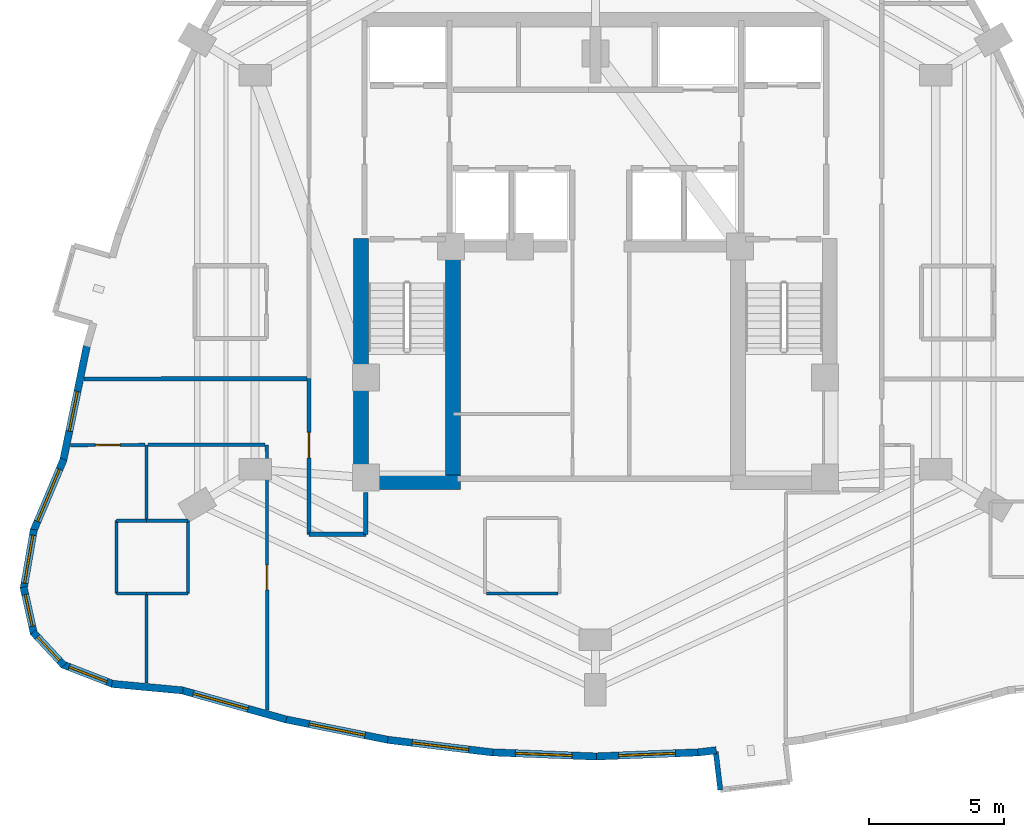
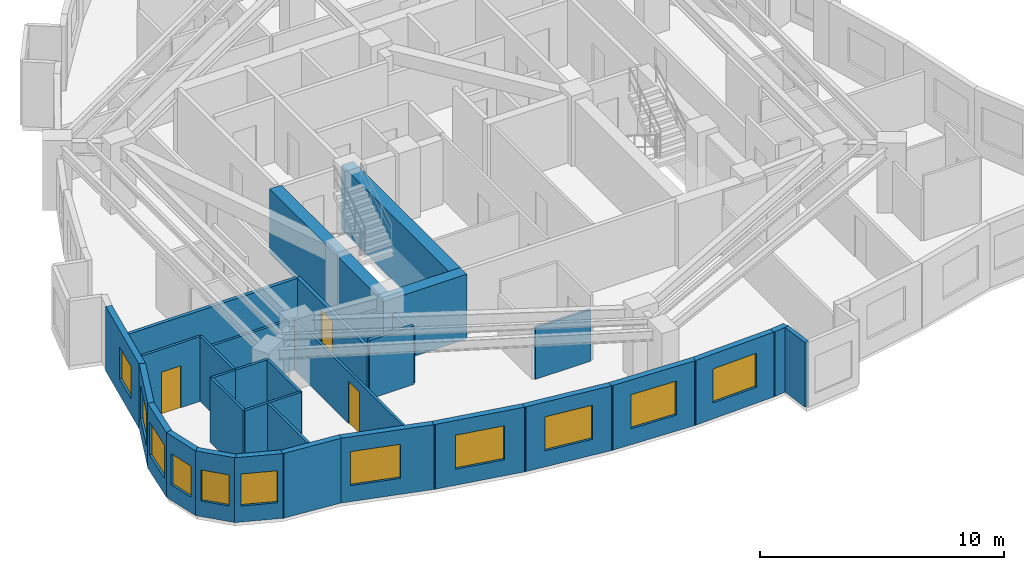
# One storey, part 3 of 9: 33 walls, 11 windows, 3 doors, 14 openings.
"""IFC4 building model written with IfcOpenShell, lengths in metres."""

from ifc_helpers import new_model, si_unit, direction, frame, frame_2d, origin, place, context, subcontext, project, spatial, rectangle, extrude, material, layer, layer_set, type_object, element, fill, save


model = new_model("IFC4")

# Units and contexts
model_context = context("Model", 3, precision=1e-05, world=origin(), true_north=direction((0.0, 1.0)))
body_context = subcontext(model_context, "Body", "Model", "MODEL_VIEW")
ifc_project = project(units=[si_unit("LENGTHUNIT", "METRE"), si_unit("AREAUNIT", "SQUARE_METRE"), si_unit("VOLUMEUNIT", "CUBIC_METRE"), si_unit("PLANEANGLEUNIT", "RADIAN"), si_unit("MASSUNIT", "GRAM", prefix="KILO")], contexts=[model_context])

# Site, building, storey
site_placement = place(None, origin())
site = spatial("IfcSite", under=ifc_project, at=site_placement, CompositionType="ELEMENT")
building_placement = place(site_placement, origin())
building = spatial("IfcBuilding", under=site, at=building_placement, Name="Miruveldt Soraemaru", CompositionType="ELEMENT")
storey_placement = place(building_placement, frame((0.0, 0.0, 170.39990234375)))
storey = spatial("IfcBuildingStorey", under=building, at=storey_placement, Name="L47", CompositionType="ELEMENT", Elevation=170.39990234375)

# Walls
ifc_material_1 = material(Name="White powder-coated aluminium EN AW-6060 T6", Category="aluminium")
ifc_layer_1 = layer(ifc_material_1, 0.18994140625, Name="White powder-coated aluminium EN AW-6060 T6", Category="aluminium")
ifc_layer_set_1 = layer_set([ifc_layer_1], Name="White powder-coated aluminium EN AW-6060 T6")
wall_type_1 = type_object("IfcWallType", Name="WALL-BAY-ALU190", PredefinedType="SOLIDWALL", material=ifc_layer_set_1)
wall_1_placement = place(storey_placement, frame((48.45458984375, 25.345703125, 0.0), z_axis=(0.0, 0.0, 1.0), x_axis=(0.119246559468, -0.992864672579, 0.0)))
element("IfcWall", 1, at=wall_1_placement, inside=storey, type_object=wall_type_1, Name="L47 Bay Window Side Cheek 3L", PredefinedType="SOLIDWALL", context=body_context, shape_type="SweptSolid", body=[
    extrude(rectangle(XDim=1.425048828125, YDim=0.18994140625, at=frame_2d((0.71240234375, 0.0))), origin(), (0.0, 0.0, 1.0), 3.235107421875),
])
ifc_material_2 = material(Name="Concrete C70/85 (70 MPa)", Category="concrete")
ifc_layer_2 = layer(ifc_material_2, 0.550048828125, Name="Concrete C70/85 (70 MPa)", Category="concrete")
ifc_layer_set_2 = layer_set([ifc_layer_2], Name="Concrete C70/85 (70 MPa)")
wall_type_2 = type_object("IfcWallType", Name="WALL-CW-550", PredefinedType="SHEAR", material=ifc_layer_set_2)
wall_2_placement = place(storey_placement, frame((35.050048828125, 35.324951171875, 0.0), z_axis=(0.0, 0.0, 1.0), x_axis=(1.0, 0.0, 0.0)))
element("IfcWall", 2, at=wall_2_placement, inside=storey, type_object=wall_type_2, Name="L47 Central Core Shear Wall S1", PredefinedType="SHEAR", context=body_context, shape_type="SweptSolid", body=[
    extrude(rectangle(XDim=3.949951171875, YDim=0.550048828125, at=frame_2d((1.97509765625, 0.0))), origin(), (0.0, 0.0, 1.0), 3.235107421875),
])
wall_3_placement = place(storey_placement, frame((35.324951171875, 35.050048828125, 0.0), z_axis=(0.0, 0.0, 1.0), x_axis=(0.0, 1.0, 0.0)))
element("IfcWall", 3, at=wall_3_placement, inside=storey, type_object=wall_type_2, Name="L47 Central Core Shear Wall W1", PredefinedType="SHEAR", context=body_context, shape_type="SweptSolid", body=[
    extrude(rectangle(XDim=9.300048828125, YDim=0.550048828125, at=frame_2d((4.64990234375, 0.0))), origin(), (0.0, 0.0, 1.0), 3.235107421875),
])
wall_4_placement = place(storey_placement, frame((38.72509765625, 35.39990234375, 0.0), z_axis=(0.0, 0.0, 1.0), x_axis=(0.0, 1.0, 0.0)))
element("IfcWall", 4, at=wall_4_placement, inside=storey, type_object=wall_type_2, Name="L47 Central Core Shear Wall SW-INT", PredefinedType="SHEAR", context=body_context, shape_type="SweptSolid", body=[
    extrude(rectangle(XDim=8.9501953125, YDim=0.550048828125, at=frame_2d((4.47509765625, 0.0))), origin(), (0.0, 0.0, 1.0), 3.235107421875),
])

# Wall, opening, window
ifc_material_3 = material(Name="Precast concrete C45/55 (45 MPa)", Category="concrete")
ifc_layer_3 = layer(ifc_material_3, 0.27001953125, Name="Precast concrete C45/55 (45 MPa)", Category="concrete")
ifc_layer_set_3 = layer_set([ifc_layer_3], Name="Precast concrete C45/55 (45 MPa)")
wall_type_3 = type_object("IfcWallType", Name="WALL-EXT-PC270", PredefinedType="SOLIDWALL", material=ifc_layer_set_3)
wall_5_placement = place(storey_placement, frame((25.18310546875, 40.4267578125, 0.0), z_axis=(0.0, 0.0, 1.0), x_axis=(-0.20160132196, -0.979467665104, 0.0)))
wall_5 = element("IfcWall", 5, at=wall_5_placement, inside=storey, type_object=wall_type_3, Name="L47 Precast Concrete Facade Wall 14", PredefinedType="SOLIDWALL", context=body_context, shape_type="SweptSolid", body=[
    extrude(rectangle(XDim=4.40576171875, YDim=0.27001953125, at=frame_2d((2.202880859375, 0.0))), origin(), (0.0, 0.0, 1.0), 3.235107421875),
])
opening_1_placement = place(wall_5_placement, frame((1.77587890625, 0.0, 0.800048828125)))
opening_1 = element("IfcOpeningElement", 6, at=opening_1_placement, cuts=wall_5, Name="Opening WN-3", PredefinedType="OPENING", context=body_context, shape_type="SweptSolid", body=[
    extrude(rectangle(XDim=1.5, YDim=1.60009765625, at=frame_2d((0.75, 0.800048828125))), frame((0.0, 0.14501953125, 0.0), z_axis=(0.0, -1.0, 0.0), x_axis=(1.0, 0.0, 0.0)), (0.0, 0.0, 1.0), 0.2900390625),
])
ifc_material_4 = material(Name="Triple low-e insulated glazing", Category="glass")
window_type_1 = type_object("IfcWindowType", Name="WIN-PUNCH-1500x1600", PartitioningType="SINGLE_PANEL", PredefinedType="WINDOW", material=ifc_material_4)
window_1_placement = place(opening_1_placement, origin())
window_1 = element("IfcWindow", 7, at=window_1_placement, inside=storey, type_object=window_type_1, Name="L47 Punched Triple-Glazed Window 14.1", OverallHeight=1.60009765625, OverallWidth=1.5, PartitioningType="SINGLE_PANEL", PredefinedType="WINDOW", context=body_context, shape_type="SweptSolid", body=[
    extrude(rectangle(XDim=1.5, YDim=1.60009765625, at=frame_2d((0.75, 0.800048828125))), frame((0.0, 0.030029296875, 0.0), z_axis=(0.0, -1.0, 0.0), x_axis=(1.0, 0.0, 0.0)), (0.0, 0.0, 1.0), 0.06005859375),
])
fill(opening_1, window_1)

wall_6_placement = place(storey_placement, frame((24.315673828125, 36.177978515625, 0.0), z_axis=(0.0, 0.0, 1.0), x_axis=(-0.388603247953, -0.921405185399, 0.0)))
wall_6 = element("IfcWall", 8, at=wall_6_placement, inside=storey, type_object=wall_type_3, Name="L47 Precast Concrete Facade Wall 15", PredefinedType="SOLIDWALL", context=body_context, shape_type="SweptSolid", body=[
    extrude(rectangle(XDim=2.89697265625, YDim=0.27001953125, at=frame_2d((1.448486328125, 0.0))), origin(), (0.0, 0.0, 1.0), 3.235107421875),
])
opening_2_placement = place(wall_6_placement, frame((0.39892578125, 0.0, 0.800048828125)))
opening_2 = element("IfcOpeningElement", 9, at=opening_2_placement, cuts=wall_6, Name="Opening WN-1", PredefinedType="OPENING", context=body_context, shape_type="SweptSolid", body=[
    extrude(rectangle(XDim=2.10009765625, YDim=1.699951171875, at=frame_2d((1.050048828125, 0.85009765625))), frame((0.0, 0.14501953125, 0.0), z_axis=(0.0, -1.0, 0.0), x_axis=(1.0, 0.0, 0.0)), (0.0, 0.0, 1.0), 0.2900390625),
])
window_type_2 = type_object("IfcWindowType", Name="WIN-PUNCH-2100x1700", PartitioningType="SINGLE_PANEL", PredefinedType="WINDOW", material=ifc_material_4)
window_2_placement = place(opening_2_placement, origin())
window_2 = element("IfcWindow", 10, at=window_2_placement, inside=storey, type_object=window_type_2, Name="L47 Punched Triple-Glazed Window 15.1", OverallHeight=1.699951171875, OverallWidth=2.10009765625, PartitioningType="SINGLE_PANEL", PredefinedType="WINDOW", context=body_context, shape_type="SweptSolid", body=[
    extrude(rectangle(XDim=2.10009765625, YDim=1.699951171875, at=frame_2d((1.050048828125, 0.85009765625))), frame((0.0, 0.030029296875, 0.0), z_axis=(0.0, -1.0, 0.0), x_axis=(1.0, 0.0, 0.0)), (0.0, 0.0, 1.0), 0.06005859375),
])
fill(opening_2, window_2)

wall_7_placement = place(storey_placement, frame((23.20947265625, 33.57568359375, 0.0), z_axis=(0.0, 0.0, 1.0), x_axis=(-0.169397854445, -0.985547749685, 0.0)))
wall_7 = element("IfcWall", 11, at=wall_7_placement, inside=storey, type_object=wall_type_3, Name="L47 Precast Concrete Facade Wall 16", PredefinedType="SOLIDWALL", context=body_context, shape_type="SweptSolid", body=[
    extrude(rectangle(XDim=2.232421875, YDim=0.27001953125, at=frame_2d((1.1162109375, 0.0))), origin(), (0.0, 0.0, 1.0), 3.235107421875),
])
opening_3_placement = place(wall_7_placement, frame((0.216064453125, 0.0, 0.800048828125)))
opening_3 = element("IfcOpeningElement", 12, at=opening_3_placement, cuts=wall_7, Name="Opening WN-2", PredefinedType="OPENING", context=body_context, shape_type="SweptSolid", body=[
    extrude(rectangle(XDim=1.800048828125, YDim=1.64990234375, at=frame_2d((0.89990234375, 0.824951171875))), frame((0.0, 0.14501953125, 0.0), z_axis=(0.0, -1.0, 0.0), x_axis=(1.0, 0.0, 0.0)), (0.0, 0.0, 1.0), 0.2900390625),
])
window_type_3 = type_object("IfcWindowType", Name="WIN-PUNCH-1800x1650", PartitioningType="SINGLE_PANEL", PredefinedType="WINDOW", material=ifc_material_4)
window_3_placement = place(opening_3_placement, origin())
window_3 = element("IfcWindow", 13, at=window_3_placement, inside=storey, type_object=window_type_3, Name="L47 Punched Triple-Glazed Window 16.1", OverallHeight=1.64990234375, OverallWidth=1.800048828125, PartitioningType="SINGLE_PANEL", PredefinedType="WINDOW", context=body_context, shape_type="SweptSolid", body=[
    extrude(rectangle(XDim=1.800048828125, YDim=1.64990234375, at=frame_2d((0.89990234375, 0.824951171875))), frame((0.0, 0.030029296875, 0.0), z_axis=(0.0, -1.0, 0.0), x_axis=(1.0, 0.0, 0.0)), (0.0, 0.0, 1.0), 0.06005859375),
])
fill(opening_3, window_3)

wall_8_placement = place(storey_placement, frame((22.82958984375, 31.444091796875, 0.0), z_axis=(0.0, 0.0, 1.0), x_axis=(0.215862834364, -0.976423697347, 0.0)))
wall_8 = element("IfcWall", 14, at=wall_8_placement, inside=storey, type_object=wall_type_3, Name="L47 Precast Concrete Facade Wall 17", PredefinedType="SOLIDWALL", context=body_context, shape_type="SweptSolid", body=[
    extrude(rectangle(XDim=1.767822265625, YDim=0.27001953125, at=frame_2d((0.8837890625, 0.0))), origin(), (0.0, 0.0, 1.0), 3.235107421875),
])
opening_4_placement = place(wall_8_placement, frame((0.283935546875, 0.0, 0.780029296875)))
opening_4 = element("IfcOpeningElement", 15, at=opening_4_placement, cuts=wall_8, Name="Opening WN-4", PredefinedType="OPENING", context=body_context, shape_type="SweptSolid", body=[
    extrude(rectangle(XDim=1.199951171875, YDim=1.550048828125, at=frame_2d((0.60009765625, 0.77490234375))), frame((0.0, 0.14501953125, 0.0), z_axis=(0.0, -1.0, 0.0), x_axis=(1.0, 0.0, 0.0)), (0.0, 0.0, 1.0), 0.2900390625),
])
window_type_4 = type_object("IfcWindowType", Name="WIN-PUNCH-1200x1550", PartitioningType="SINGLE_PANEL", PredefinedType="WINDOW", material=ifc_material_4)
window_4_placement = place(opening_4_placement, origin())
window_4 = element("IfcWindow", 16, at=window_4_placement, inside=storey, type_object=window_type_4, Name="L47 Punched Triple-Glazed Window 17.1", OverallHeight=1.550048828125, OverallWidth=1.199951171875, PartitioningType="SINGLE_PANEL", PredefinedType="WINDOW", context=body_context, shape_type="SweptSolid", body=[
    extrude(rectangle(XDim=1.199951171875, YDim=1.550048828125, at=frame_2d((0.60009765625, 0.77490234375))), frame((0.0, 0.030029296875, 0.0), z_axis=(0.0, -1.0, 0.0), x_axis=(1.0, 0.0, 0.0)), (0.0, 0.0, 1.0), 0.06005859375),
])
fill(opening_4, window_4)

wall_9_placement = place(storey_placement, frame((23.1796875, 29.778076171875, 0.0), z_axis=(0.0, 0.0, 1.0), x_axis=(0.68010098508, -0.733118442064, 0.0)))
wall_9 = element("IfcWall", 17, at=wall_9_placement, inside=storey, type_object=wall_type_3, Name="L47 Precast Concrete Facade Wall 18", PredefinedType="SOLIDWALL", context=body_context, shape_type="SweptSolid", body=[
    extrude(rectangle(XDim=1.685302734375, YDim=0.27001953125, at=frame_2d((0.8427734375, 0.0))), origin(), (0.0, 0.0, 1.0), 3.235107421875),
])
opening_5_placement = place(wall_9_placement, frame((0.241943359375, 0.0, 0.780029296875)))
opening_5 = element("IfcOpeningElement", 18, at=opening_5_placement, cuts=wall_9, Name="Opening WN-4", PredefinedType="OPENING", context=body_context, shape_type="SweptSolid", body=[
    extrude(rectangle(XDim=1.199951171875, YDim=1.550048828125, at=frame_2d((0.60009765625, 0.77490234375))), frame((0.0, 0.14501953125, 0.0), z_axis=(0.0, -1.0, 0.0), x_axis=(1.0, 0.0, 0.0)), (0.0, 0.0, 1.0), 0.2900390625),
])
window_5_placement = place(opening_5_placement, origin())
window_5 = element("IfcWindow", 19, at=window_5_placement, inside=storey, type_object=window_type_4, Name="L47 Punched Triple-Glazed Window 18.1", OverallHeight=1.550048828125, OverallWidth=1.199951171875, PartitioningType="SINGLE_PANEL", PredefinedType="WINDOW", context=body_context, shape_type="SweptSolid", body=[
    extrude(rectangle(XDim=1.199951171875, YDim=1.550048828125, at=frame_2d((0.60009765625, 0.77490234375))), frame((0.0, 0.030029296875, 0.0), z_axis=(0.0, -1.0, 0.0), x_axis=(1.0, 0.0, 0.0)), (0.0, 0.0, 1.0), 0.06005859375),
])
fill(opening_5, window_5)

wall_10_placement = place(storey_placement, frame((24.26953125, 28.5810546875, 0.0), z_axis=(0.0, 0.0, 1.0), x_axis=(0.932267974852, -0.361768466101, 0.0)))
wall_10 = element("IfcWall", 20, at=wall_10_placement, inside=storey, type_object=wall_type_3, Name="L47 Precast Concrete Facade Wall 19", PredefinedType="SOLIDWALL", context=body_context, shape_type="SweptSolid", body=[
    extrude(rectangle(XDim=2.033935546875, YDim=0.27001953125, at=frame_2d((1.01708984375, 0.0))), origin(), (0.0, 0.0, 1.0), 3.235107421875),
])
opening_6_placement = place(wall_10_placement, frame((0.26708984375, 0.0, 0.800048828125)))
opening_6 = element("IfcOpeningElement", 21, at=opening_6_placement, cuts=wall_10, Name="Opening WN-3", PredefinedType="OPENING", context=body_context, shape_type="SweptSolid", body=[
    extrude(rectangle(XDim=1.5, YDim=1.60009765625, at=frame_2d((0.75, 0.800048828125))), frame((0.0, 0.14501953125, 0.0), z_axis=(0.0, -1.0, 0.0), x_axis=(1.0, 0.0, 0.0)), (0.0, 0.0, 1.0), 0.2900390625),
])
window_6_placement = place(opening_6_placement, origin())
window_6 = element("IfcWindow", 22, at=window_6_placement, inside=storey, type_object=window_type_1, Name="L47 Punched Triple-Glazed Window 19.1", OverallHeight=1.60009765625, OverallWidth=1.5, PartitioningType="SINGLE_PANEL", PredefinedType="WINDOW", context=body_context, shape_type="SweptSolid", body=[
    extrude(rectangle(XDim=1.5, YDim=1.60009765625, at=frame_2d((0.75, 0.800048828125))), frame((0.0, 0.030029296875, 0.0), z_axis=(0.0, -1.0, 0.0), x_axis=(1.0, 0.0, 0.0)), (0.0, 0.0, 1.0), 0.06005859375),
])
fill(opening_6, window_6)

# Wall
wall_11_placement = place(storey_placement, frame((26.09814453125, 27.861083984375, 0.0), z_axis=(0.0, 0.0, 1.0), x_axis=(0.995763558501, -0.091950723555, 0.0)))
element("IfcWall", 23, at=wall_11_placement, inside=storey, type_object=wall_type_3, Name="L47 Precast Concrete Facade Wall 20", PredefinedType="SOLIDWALL", context=body_context, shape_type="SweptSolid", body=[
    extrude(rectangle(XDim=2.64453125, YDim=0.27001953125, at=frame_2d((1.322265625, 0.0))), origin(), (0.0, 0.0, 1.0), 3.235107421875),
])

# Wall, opening, window
wall_12_placement = place(storey_placement, frame((28.662841796875, 27.630615234375, 0.0), z_axis=(0.0, 0.0, 1.0), x_axis=(0.962966528266, -0.269620966245, 0.0)))
wall_12 = element("IfcWall", 24, at=wall_12_placement, inside=storey, type_object=wall_type_3, Name="L47 Precast Concrete Facade Wall 21", PredefinedType="SOLIDWALL", context=body_context, shape_type="SweptSolid", body=[
    extrude(rectangle(XDim=4.04296875, YDim=0.27001953125, at=frame_2d((2.021484375, 0.0))), origin(), (0.0, 0.0, 1.0), 3.235107421875),
])
opening_7_placement = place(wall_12_placement, frame((0.467041015625, 0.0, 0.800048828125)))
opening_7 = element("IfcOpeningElement", 25, at=opening_7_placement, cuts=wall_12, Name="Opening WN-1", PredefinedType="OPENING", context=body_context, shape_type="SweptSolid", body=[
    extrude(rectangle(XDim=2.10009765625, YDim=1.699951171875, at=frame_2d((1.050048828125, 0.85009765625))), frame((0.0, 0.14501953125, 0.0), z_axis=(0.0, -1.0, 0.0), x_axis=(1.0, 0.0, 0.0)), (0.0, 0.0, 1.0), 0.2900390625),
])
window_7_placement = place(opening_7_placement, origin())
window_7 = element("IfcWindow", 26, at=window_7_placement, inside=storey, type_object=window_type_2, Name="L47 Punched Triple-Glazed Window 21.1", OverallHeight=1.699951171875, OverallWidth=2.10009765625, PartitioningType="SINGLE_PANEL", PredefinedType="WINDOW", context=body_context, shape_type="SweptSolid", body=[
    extrude(rectangle(XDim=2.10009765625, YDim=1.699951171875, at=frame_2d((1.050048828125, 0.85009765625))), frame((0.0, 0.030029296875, 0.0), z_axis=(0.0, -1.0, 0.0), x_axis=(1.0, 0.0, 0.0)), (0.0, 0.0, 1.0), 0.06005859375),
])
fill(opening_7, window_7)

wall_13_placement = place(storey_placement, frame((32.488037109375, 26.556884765625, 0.0), z_axis=(0.0, 0.0, 1.0), x_axis=(0.980573582327, -0.196151598621, 0.0)))
wall_13 = element("IfcWall", 27, at=wall_13_placement, inside=storey, type_object=wall_type_3, Name="L47 Precast Concrete Facade Wall 22", PredefinedType="SOLIDWALL", context=body_context, shape_type="SweptSolid", body=[
    extrude(rectangle(XDim=3.9716796875, YDim=0.27001953125, at=frame_2d((1.98583984375, 0.0))), origin(), (0.0, 0.0, 1.0), 3.235107421875),
])
opening_8_placement = place(wall_13_placement, frame((0.93603515625, 0.0, 0.800048828125)))
opening_8 = element("IfcOpeningElement", 28, at=opening_8_placement, cuts=wall_13, Name="Opening WN-1", PredefinedType="OPENING", context=body_context, shape_type="SweptSolid", body=[
    extrude(rectangle(XDim=2.10009765625, YDim=1.699951171875, at=frame_2d((1.050048828125, 0.85009765625))), frame((0.0, 0.14501953125, 0.0), z_axis=(0.0, -1.0, 0.0), x_axis=(1.0, 0.0, 0.0)), (0.0, 0.0, 1.0), 0.2900390625),
])
window_8_placement = place(opening_8_placement, origin())
window_8 = element("IfcWindow", 29, at=window_8_placement, inside=storey, type_object=window_type_2, Name="L47 Punched Triple-Glazed Window 22.1", OverallHeight=1.699951171875, OverallWidth=2.10009765625, PartitioningType="SINGLE_PANEL", PredefinedType="WINDOW", context=body_context, shape_type="SweptSolid", body=[
    extrude(rectangle(XDim=2.10009765625, YDim=1.699951171875, at=frame_2d((1.050048828125, 0.85009765625))), frame((0.0, 0.030029296875, 0.0), z_axis=(0.0, -1.0, 0.0), x_axis=(1.0, 0.0, 0.0)), (0.0, 0.0, 1.0), 0.06005859375),
])
fill(opening_8, window_8)

wall_14_placement = place(storey_placement, frame((36.3134765625, 25.788818359375, 0.0), z_axis=(0.0, 0.0, 1.0), x_axis=(0.992874777232, -0.11916239649, 0.0)))
wall_14 = element("IfcWall", 30, at=wall_14_placement, inside=storey, type_object=wall_type_3, Name="L47 Precast Concrete Facade Wall 23", PredefinedType="SOLIDWALL", context=body_context, shape_type="SweptSolid", body=[
    extrude(rectangle(XDim=3.923583984375, YDim=0.27001953125, at=frame_2d((1.9619140625, 0.0))), origin(), (0.0, 0.0, 1.0), 3.235107421875),
])
opening_9_placement = place(wall_14_placement, frame((0.910888671875, 0.0, 0.800048828125)))
opening_9 = element("IfcOpeningElement", 31, at=opening_9_placement, cuts=wall_14, Name="Opening WN-1", PredefinedType="OPENING", context=body_context, shape_type="SweptSolid", body=[
    extrude(rectangle(XDim=2.10009765625, YDim=1.699951171875, at=frame_2d((1.050048828125, 0.85009765625))), frame((0.0, 0.14501953125, 0.0), z_axis=(0.0, -1.0, 0.0), x_axis=(1.0, 0.0, 0.0)), (0.0, 0.0, 1.0), 0.2900390625),
])
window_9_placement = place(opening_9_placement, origin())
window_9 = element("IfcWindow", 32, at=window_9_placement, inside=storey, type_object=window_type_2, Name="L47 Punched Triple-Glazed Window 23.1", OverallHeight=1.699951171875, OverallWidth=2.10009765625, PartitioningType="SINGLE_PANEL", PredefinedType="WINDOW", context=body_context, shape_type="SweptSolid", body=[
    extrude(rectangle(XDim=2.10009765625, YDim=1.699951171875, at=frame_2d((1.050048828125, 0.85009765625))), frame((0.0, 0.030029296875, 0.0), z_axis=(0.0, -1.0, 0.0), x_axis=(1.0, 0.0, 0.0)), (0.0, 0.0, 1.0), 0.06005859375),
])
fill(opening_9, window_9)

wall_15_placement = place(storey_placement, frame((40.13916015625, 25.326904296875, 0.0), z_axis=(0.0, 0.0, 1.0), x_axis=(0.999201658774, -0.039950533202, 0.0)))
wall_15 = element("IfcWall", 33, at=wall_15_placement, inside=storey, type_object=wall_type_3, Name="L47 Precast Concrete Facade Wall 24", PredefinedType="SOLIDWALL", context=body_context, shape_type="SweptSolid", body=[
    extrude(rectangle(XDim=3.89892578125, YDim=0.27001953125, at=frame_2d((1.949462890625, 0.0))), origin(), (0.0, 0.0, 1.0), 3.235107421875),
])
opening_10_placement = place(wall_15_placement, frame((0.89892578125, 0.0, 0.800048828125)))
opening_10 = element("IfcOpeningElement", 34, at=opening_10_placement, cuts=wall_15, Name="Opening WN-1", PredefinedType="OPENING", context=body_context, shape_type="SweptSolid", body=[
    extrude(rectangle(XDim=2.10009765625, YDim=1.699951171875, at=frame_2d((1.050048828125, 0.85009765625))), frame((0.0, 0.14501953125, 0.0), z_axis=(0.0, -1.0, 0.0), x_axis=(1.0, 0.0, 0.0)), (0.0, 0.0, 1.0), 0.2900390625),
])
window_10_placement = place(opening_10_placement, origin())
window_10 = element("IfcWindow", 35, at=window_10_placement, inside=storey, type_object=window_type_2, Name="L47 Punched Triple-Glazed Window 24.1", OverallHeight=1.699951171875, OverallWidth=2.10009765625, PartitioningType="SINGLE_PANEL", PredefinedType="WINDOW", context=body_context, shape_type="SweptSolid", body=[
    extrude(rectangle(XDim=2.10009765625, YDim=1.699951171875, at=frame_2d((1.050048828125, 0.85009765625))), frame((0.0, 0.030029296875, 0.0), z_axis=(0.0, -1.0, 0.0), x_axis=(1.0, 0.0, 0.0)), (0.0, 0.0, 1.0), 0.06005859375),
])
fill(opening_10, window_10)

wall_16_placement = place(storey_placement, frame((43.965087890625, 25.171142578125, 0.0), z_axis=(0.0, 0.0, 1.0), x_axis=(0.999201658774, 0.039950533202, 0.0)))
wall_16 = element("IfcWall", 36, at=wall_16_placement, inside=storey, type_object=wall_type_3, Name="L47 Precast Concrete Facade Wall 25", PredefinedType="SOLIDWALL", context=body_context, shape_type="SweptSolid", body=[
    extrude(rectangle(XDim=3.89892578125, YDim=0.27001953125, at=frame_2d((1.949462890625, 0.0))), origin(), (0.0, 0.0, 1.0), 3.235107421875),
])
opening_11_placement = place(wall_16_placement, frame((0.89892578125, 0.0, 0.800048828125)))
opening_11 = element("IfcOpeningElement", 37, at=opening_11_placement, cuts=wall_16, Name="Opening WN-1", PredefinedType="OPENING", context=body_context, shape_type="SweptSolid", body=[
    extrude(rectangle(XDim=2.10009765625, YDim=1.699951171875, at=frame_2d((1.050048828125, 0.85009765625))), frame((0.0, 0.14501953125, 0.0), z_axis=(0.0, -1.0, 0.0), x_axis=(1.0, 0.0, 0.0)), (0.0, 0.0, 1.0), 0.2900390625),
])
window_11_placement = place(opening_11_placement, origin())
window_11 = element("IfcWindow", 38, at=window_11_placement, inside=storey, type_object=window_type_2, Name="L47 Punched Triple-Glazed Window 25.1", OverallHeight=1.699951171875, OverallWidth=2.10009765625, PartitioningType="SINGLE_PANEL", PredefinedType="WINDOW", context=body_context, shape_type="SweptSolid", body=[
    extrude(rectangle(XDim=2.10009765625, YDim=1.699951171875, at=frame_2d((1.050048828125, 0.85009765625))), frame((0.0, 0.030029296875, 0.0), z_axis=(0.0, -1.0, 0.0), x_axis=(1.0, 0.0, 0.0)), (0.0, 0.0, 1.0), 0.06005859375),
])
fill(opening_11, window_11)

# Wall
wall_17_placement = place(storey_placement, frame((47.791015625, 25.3212890625, 0.0), z_axis=(0.0, 0.0, 1.0), x_axis=(0.992858455282, 0.119298314215, 0.0)))
element("IfcWall", 39, at=wall_17_placement, inside=storey, type_object=wall_type_3, Name="L47 Precast Pier Wall 26A", PredefinedType="SOLIDWALL", context=body_context, shape_type="SweptSolid", body=[
    extrude(rectangle(XDim=0.691650390625, YDim=0.27001953125, at=frame_2d((0.345703125, 0.0))), origin(), (0.0, 0.0, 1.0), 3.235107421875),
])

# Wall, opening, door
ifc_material_5 = material(Name="Gypsum plasterboard lining", Category="gypsum")
ifc_layer_4 = layer(ifc_material_5, 0.1201171875, Name="Gypsum plasterboard lining", Category="gypsum")
ifc_layer_set_4 = layer_set([ifc_layer_4], Name="Gypsum plasterboard lining")
wall_type_4 = type_object("IfcWallType", Name="WALL-INT-P120", PredefinedType="PARTITIONING", material=ifc_layer_set_4)
wall_18_placement = place(storey_placement, frame((31.8369140625, 36.7109375, 0.0), z_axis=(0.0, 0.0, 1.0), x_axis=(0.001939426458, -0.999998119311, 0.0)))
wall_18 = element("IfcWall", 40, at=wall_18_placement, inside=storey, type_object=wall_type_4, Name="L47 Partition Wall 32", PredefinedType="PARTITIONING", context=body_context, shape_type="SweptSolid", body=[
    extrude(rectangle(XDim=9.81884765625, YDim=0.1201171875, at=frame_2d((4.909423828125, 0.0))), origin(), (0.0, 0.0, 1.0), 2.572998046875),
])
opening_12_placement = place(wall_18_placement, frame((4.449951171875, 0.0, 0.0)))
opening_12 = element("IfcOpeningElement", 41, at=opening_12_placement, cuts=wall_18, Name="Opening D3A", PredefinedType="OPENING", context=body_context, shape_type="SweptSolid", body=[
    extrude(rectangle(XDim=0.919921875, YDim=2.10009765625, at=frame_2d((0.4599609375, 1.050048828125))), frame((0.0, 0.070068359375, 0.0), z_axis=(0.0, -1.0, 0.0), x_axis=(1.0, 0.0, 0.0)), (0.0, 0.0, 1.0), 0.14013671875),
])
ifc_material_6 = material(Name="Anodised aluminium EN AW-6063 T6", Category="aluminium")
door_type_1 = type_object("IfcDoorType", Name="DOOR-INT-920", OperationType="NOTDEFINED", PredefinedType="DOOR", material=ifc_material_6)
door_1_placement = place(opening_12_placement, origin())
door_1 = element("IfcDoor", 42, at=door_1_placement, inside=storey, type_object=door_type_1, Name="L47 Unit 4703 BD2 Door", OperationType="SINGLE_SWING_RIGHT", OverallHeight=2.10009765625, OverallWidth=0.919921875, PredefinedType="DOOR", context=body_context, shape_type="SweptSolid", body=[
    extrude(rectangle(XDim=0.919921875, YDim=2.10009765625, at=frame_2d((0.4599609375, 1.050048828125))), frame((0.0, 0.02490234375, 0.0), z_axis=(0.0, -1.0, 0.0), x_axis=(1.0, 0.0, 0.0)), (0.0, 0.0, 1.0), 0.050048828125),
])
fill(opening_12, door_1)

wall_19_placement = place(storey_placement, frame((24.569091796875, 36.697021484375, 0.0), z_axis=(0.0, 0.0, 1.0), x_axis=(0.999987187479, 0.005062102104, 0.0)))
wall_19 = element("IfcWall", 43, at=wall_19_placement, inside=storey, type_object=wall_type_4, Name="L47 Partition Wall 30", PredefinedType="PARTITIONING", context=body_context, shape_type="SweptSolid", body=[
    extrude(rectangle(XDim=2.7490234375, YDim=0.1201171875, at=frame_2d((1.37451171875, 0.0))), origin(), (0.0, 0.0, 1.0), 3.235107421875),
])
opening_13_placement = place(wall_19_placement, frame((0.9150390625, 0.0, 0.0)))
opening_13 = element("IfcOpeningElement", 44, at=opening_13_placement, cuts=wall_19, Name="Opening D3A", PredefinedType="OPENING", context=body_context, shape_type="SweptSolid", body=[
    extrude(rectangle(XDim=0.919921875, YDim=2.10009765625, at=frame_2d((0.4599609375, 1.050048828125))), frame((0.0, 0.070068359375, 0.0), z_axis=(0.0, -1.0, 0.0), x_axis=(1.0, 0.0, 0.0)), (0.0, 0.0, 1.0), 0.14013671875),
])
door_2_placement = place(opening_13_placement, origin())
door_2 = element("IfcDoor", 45, at=door_2_placement, inside=storey, type_object=door_type_1, Name="L47 Unit 4703 BD1 Door", OperationType="SINGLE_SWING_LEFT", OverallHeight=2.10009765625, OverallWidth=0.919921875, PredefinedType="DOOR", context=body_context, shape_type="SweptSolid", body=[
    extrude(rectangle(XDim=0.919921875, YDim=2.10009765625, at=frame_2d((0.4599609375, 1.050048828125))), frame((0.0, 0.02490234375, 0.0), z_axis=(0.0, -1.0, 0.0), x_axis=(1.0, 0.0, 0.0)), (0.0, 0.0, 1.0), 0.050048828125),
])
fill(opening_13, door_2)

# Walls
wall_20_placement = place(storey_placement, frame((27.43798828125, 36.7109375, 0.0), z_axis=(0.0, 0.0, 1.0), x_axis=(1.0, 0.0, 0.0)))
element("IfcWall", 46, at=wall_20_placement, inside=storey, type_object=wall_type_4, Name="L47 Partition Wall 31", PredefinedType="PARTITIONING", context=body_context, shape_type="SweptSolid", body=[
    extrude(rectangle(XDim=4.339111328125, YDim=0.1201171875, at=frame_2d((2.16943359375, 0.0))), origin(), (0.0, 0.0, 1.0), 2.572998046875),
])
wall_21_placement = place(storey_placement, frame((27.384033203125, 27.89306640625, 0.0), z_axis=(0.0, 0.0, 1.0), x_axis=(-0.001842839271, 0.99999830197, 0.0)))
element("IfcWall", 47, at=wall_21_placement, inside=storey, type_object=wall_type_4, Name="L47 Partition Wall 34", PredefinedType="PARTITIONING", context=body_context, shape_type="SweptSolid", body=[
    extrude(rectangle(XDim=3.31201171875, YDim=0.1201171875, at=frame_2d((1.656005859375, 0.0))), origin(), (0.0, 0.0, 1.0), 3.235107421875),
])
wall_22_placement = place(storey_placement, frame((27.3779296875, 33.905029296875, 0.0), z_axis=(0.0, 0.0, 1.0), x_axis=(0.0, 1.0, 0.0)))
element("IfcWall", 48, at=wall_22_placement, inside=storey, type_object=wall_type_4, Name="L47 Partition Wall 35", PredefinedType="PARTITIONING", context=body_context, shape_type="SweptSolid", body=[
    extrude(rectangle(XDim=2.805908203125, YDim=0.1201171875, at=frame_2d((1.40283203125, 0.0))), origin(), (0.0, 0.0, 1.0), 3.235107421875),
])
for number, where, z_axis, x_axis, name in (
    (49, (26.26708984375, 33.905029296875, 0.0), (0.0, 0.0, 1.0), (0.0, -1.0, 0.0), "L47 Partition Wall 54"),
    (50, (28.9169921875, 31.205078125, 0.0), (0.0, 0.0, 1.0), (0.0, 1.0, 0.0), "L47 Partition Wall 57"),
):
    element("IfcWall", number, at=place(storey_placement, frame(where, z_axis=z_axis, x_axis=x_axis)), inside=storey, type_object=wall_type_4, Name=name, PredefinedType="PARTITIONING", context=body_context, shape_type="SweptSolid", body=[
        extrude(rectangle(XDim=2.699951171875, YDim=0.1201171875, at=frame_2d((1.35009765625, 0.0))), origin(), (0.0, 0.0, 1.0), 3.235107421875),
    ])
wall_23_placement = place(storey_placement, frame((39.97705078125, 31.205078125, 0.0), z_axis=(0.0, 0.0, 1.0), x_axis=(1.0, 0.0, 0.0)))
element("IfcWall", 51, at=wall_23_placement, inside=storey, type_object=wall_type_4, Name="L47 Partition Wall 29", PredefinedType="PARTITIONING", context=body_context, shape_type="SweptSolid", body=[
    extrude(rectangle(XDim=2.6298828125, YDim=0.1201171875, at=frame_2d((1.31494140625, 0.0))), origin(), (0.0, 0.0, 1.0), 2.572998046875),
])
for number, where, z_axis, x_axis, name in (
    (52, (27.3779296875, 31.205078125, 0.0), (0.0, 0.0, 1.0), (1.0, 0.0, 0.0), "L47 Partition Wall 56"),
    (53, (28.9169921875, 33.905029296875, 0.0), (0.0, 0.0, 1.0), (-1.0, 0.0, 0.0), "L47 Partition Wall 58"),
):
    element("IfcWall", number, at=place(storey_placement, frame(where, z_axis=z_axis, x_axis=x_axis)), inside=storey, type_object=wall_type_4, Name=name, PredefinedType="PARTITIONING", context=body_context, shape_type="SweptSolid", body=[
        extrude(rectangle(XDim=1.5390625, YDim=0.1201171875, at=frame_2d((0.76953125, 0.0))), origin(), (0.0, 0.0, 1.0), 3.235107421875),
    ])
for number, where, z_axis, x_axis, name in (
    (54, (27.3779296875, 33.905029296875, 0.0), (0.0, 0.0, 1.0), (-1.0, 0.0, 0.0), "L47 Partition Wall 53"),
    (55, (26.26708984375, 31.205078125, 0.0), (0.0, 0.0, 1.0), (1.0, 0.0, 0.0), "L47 Partition Wall 55"),
):
    element("IfcWall", number, at=place(storey_placement, frame(where, z_axis=z_axis, x_axis=x_axis)), inside=storey, type_object=wall_type_4, Name=name, PredefinedType="PARTITIONING", context=body_context, shape_type="SweptSolid", body=[
        extrude(rectangle(XDim=1.11083984375, YDim=0.1201171875, at=frame_2d((0.555419921875, 0.0))), origin(), (0.0, 0.0, 1.0), 3.235107421875),
    ])

# Wall, opening, door
ifc_material_7 = material(Name="Concrete C40/50 (40 MPa)", Category="concrete")
ifc_layer_5 = layer(ifc_material_7, 0.159912109375, Name="Concrete C40/50 (40 MPa)", Category="concrete")
ifc_layer_set_5 = layer_set([ifc_layer_5], Name="Concrete C40/50 (40 MPa)")
wall_type_5 = type_object("IfcWallType", Name="WALL-INT-RC160", PredefinedType="SOLIDWALL", material=ifc_layer_set_5)
wall_24_placement = place(storey_placement, frame((33.39990234375, 39.157958984375, 0.0), z_axis=(0.0, 0.0, 1.0), x_axis=(0.0, -1.0, 0.0)))
wall_24 = element("IfcWall", 56, at=wall_24_placement, inside=storey, type_object=wall_type_5, Name="L47 Partition Wall 5", PredefinedType="SOLIDWALL", context=body_context, shape_type="SweptSolid", body=[
    extrude(rectangle(XDim=5.758056640625, YDim=0.159912109375, at=frame_2d((2.87890625, 0.0))), origin(), (0.0, 0.0, 1.0), 2.572998046875),
])
opening_14_placement = place(wall_24_placement, frame((1.98388671875, 0.0, 0.0)))
opening_14 = element("IfcOpeningElement", 57, at=opening_14_placement, cuts=wall_24, Name="Opening FD2", PredefinedType="OPENING", context=body_context, shape_type="SweptSolid", body=[
    extrude(rectangle(XDim=0.949951171875, YDim=2.14990234375, at=frame_2d((0.47509765625, 1.074951171875))), frame((0.0, 0.08984375, 0.0), z_axis=(0.0, -1.0, 0.0), x_axis=(1.0, 0.0, 0.0)), (0.0, 0.0, 1.0), 0.179931640625),
])
door_type_2 = type_object("IfcDoorType", Name="DOOR-FD2-950", OperationType="NOTDEFINED", PredefinedType="DOOR", material=ifc_material_6)
door_3_placement = place(opening_14_placement, origin())
door_3 = element("IfcDoor", 58, at=door_3_placement, inside=storey, type_object=door_type_2, Name="L47 Unit 4703 Entrance Fire Door", OperationType="SINGLE_SWING_LEFT", OverallHeight=2.14990234375, OverallWidth=0.949951171875, PredefinedType="DOOR", context=body_context, shape_type="SweptSolid", body=[
    extrude(rectangle(XDim=0.949951171875, YDim=2.14990234375, at=frame_2d((0.47509765625, 1.074951171875))), frame((0.0, 0.02490234375, 0.0), z_axis=(0.0, -1.0, 0.0), x_axis=(1.0, 0.0, 0.0)), (0.0, 0.0, 1.0), 0.050048828125),
])
fill(opening_14, door_3)

# Walls
wall_25_placement = place(storey_placement, frame((33.320068359375, 39.160888671875, 0.0), z_axis=(0.0, 0.0, 1.0), x_axis=(-0.999998576362, -0.001687386585, 0.0)))
element("IfcWall", 59, at=wall_25_placement, inside=storey, type_object=wall_type_5, Name="L47 Partition Wall 33", PredefinedType="SOLIDWALL", context=body_context, shape_type="SweptSolid", body=[
    extrude(rectangle(XDim=8.2470703125, YDim=0.159912109375, at=frame_2d((4.12353515625, 0.0))), origin(), (0.0, 0.0, 1.0), 2.572998046875),
])
wall_26_placement = place(storey_placement, frame((33.39990234375, 33.39990234375, 0.0), z_axis=(0.0, 0.0, 1.0), x_axis=(1.0, 0.0, 0.0)))
element("IfcWall", 60, at=wall_26_placement, inside=storey, type_object=wall_type_5, Name="L47 Partition Wall 6", PredefinedType="SOLIDWALL", context=body_context, shape_type="SweptSolid", body=[
    extrude(rectangle(XDim=2.10009765625, YDim=0.159912109375, at=frame_2d((1.050048828125, 0.0))), origin(), (0.0, 0.0, 1.0), 2.923095703125),
])
wall_27_placement = place(storey_placement, frame((35.5, 33.39990234375, 0.0), z_axis=(0.0, 0.0, 1.0), x_axis=(0.0, 1.0, 0.0)))
element("IfcWall", 61, at=wall_27_placement, inside=storey, type_object=wall_type_5, Name="L47 Partition Wall 7", PredefinedType="SOLIDWALL", context=body_context, shape_type="SweptSolid", body=[
    extrude(rectangle(XDim=1.547119140625, YDim=0.159912109375, at=frame_2d((0.7734375, 0.0))), origin(), (0.0, 0.0, 1.0), 2.572998046875),
])

save(model, "model.ifc")
